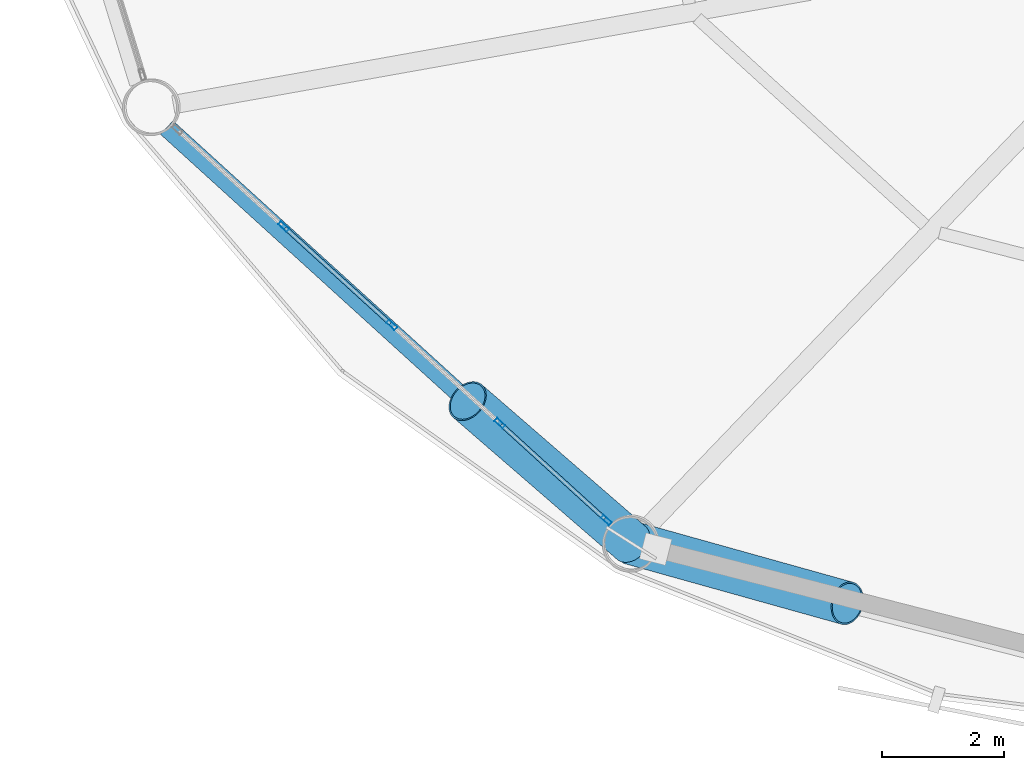
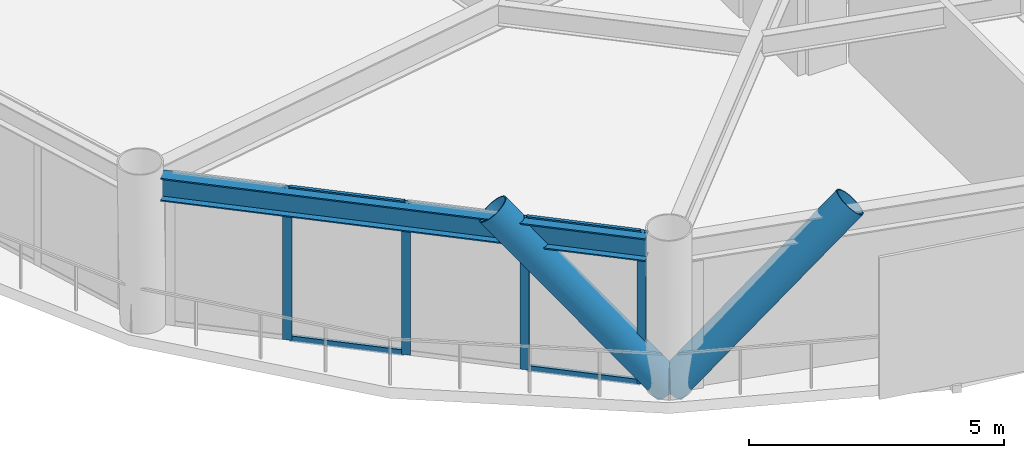
# One storey, part 2 of 25: 10 members, 1 beam, 1 element without a shape of its own.
"""IFC4 building model written with IfcOpenShell, lengths in metres."""

from ifc_helpers import new_model, si_unit, direction, frame, origin, origin_2d, place, context, subcontext, project, spatial, hollow_rectangle, hollow_circle, i_section, extrude, material, layer, layer_set, material_profile, profile_set, type_object, element, aggregate, save


model = new_model("IFC4")

# Units and contexts
model_context = context("Model", 3, precision=1e-05, world=origin(), true_north=direction((0.0, 1.0)))
body_context = subcontext(model_context, "Body", "Model", "MODEL_VIEW")
ifc_project = project(units=[si_unit("LENGTHUNIT", "METRE"), si_unit("AREAUNIT", "SQUARE_METRE"), si_unit("VOLUMEUNIT", "CUBIC_METRE"), si_unit("PLANEANGLEUNIT", "RADIAN"), si_unit("MASSUNIT", "GRAM", prefix="KILO")], contexts=[model_context])

# Site, building, storey
site_placement = place(None, origin())
site = spatial("IfcSite", under=ifc_project, at=site_placement, CompositionType="ELEMENT")
building_placement = place(site_placement, origin())
building = spatial("IfcBuilding", under=site, at=building_placement, Name="Varnakorn Sky Granary", CompositionType="ELEMENT")
storey_placement = place(building_placement, frame((0.0, 0.0, 62.699951171875)))
storey = spatial("IfcBuildingStorey", under=building, at=storey_placement, Name="L15", CompositionType="ELEMENT", Elevation=62.699951171875)

# Beam
ifc_material_1 = material(Name="Steel S355JR", Category="steel")
ifc_material_profile_1 = material_profile(ifc_material_1, i_section(OverallWidth=0.300048828125, OverallDepth=0.550048828125, WebThickness=0.014892578125, FlangeThickness=0.029052734375, at=origin_2d()), Name="HE 550 B")
ifc_profile_set_1 = profile_set([ifc_material_profile_1], Name="Steel S355JR")
beam_type = type_object("IfcBeamType", Name="BM-SPD-Z1", PredefinedType="SPANDREL", material=ifc_profile_set_1)
beam_placement = place(storey_placement, frame((-19.77001953125, -10.060791015625, 3.364990234375), z_axis=(0.739849329856, -0.672772598365, 0.0), x_axis=(0.672772598365, 0.739849329856, 0.0)))
element("IfcBeam", 1, at=beam_placement, inside=storey, type_object=beam_type, Name="Perimeter Spandrel Ring Beam RB08 L15", PredefinedType="SPANDREL", context=body_context, shape_type="SweptSolid", body=[
    extrude(i_section(OverallWidth=0.300048828125, OverallDepth=0.550048828125, WebThickness=0.014892578125, FlangeThickness=0.029052734375, at=origin_2d()), origin(), (0.0, 0.0, 1.0), 9.739990234375),
])

# Curtain wall, members
ifc_material_2 = material(Name="Anodised Bronze Aluminium Alloy 6063-T6", Category="aluminium")
ifc_layer = layer(ifc_material_2, 0.18994140625, Name="Anodised Bronze Aluminium Alloy 6063-T6")
ifc_layer_set = layer_set([ifc_layer], Name="Anodised Bronze Aluminium Alloy 6063-T6")
curtain_wall_type = type_object("IfcCurtainWallType", Name="CW-FRM-1", PredefinedType="USERDEFINED", material=ifc_layer_set)
curtain_wall_placement = place(storey_placement, origin())
curtain_wall = element("IfcCurtainWall", 2, at=curtain_wall_placement, inside=storey, type_object=curtain_wall_type, Name="Unitised Curtain Wall CW3 CW-L15-B08", ObjectType="CURTAIN WALL", PredefinedType="USERDEFINED")
ifc_material_profile_2 = material_profile(ifc_material_2, hollow_rectangle(XDim=0.070068359375, YDim=0.18505859375, WallThickness=0.00390625, at=origin_2d()), Name="ALU MULL 70x185")
ifc_profile_set_2 = profile_set([ifc_material_profile_2], Name="Anodised Bronze Aluminium Alloy 6063-T6")
member_type_1 = type_object("IfcMemberType", Name="CW-FRM-1-MULL", PredefinedType="MULLION", material=ifc_profile_set_2)
member_1_placement = place(storey_placement, frame((-12.59375, -16.470947265625, 0.0), z_axis=(0.0, 0.0, 1.0), x_axis=(-0.673050871898, -0.739596189712, 0.0)))
member_1 = element("IfcMember", 3, at=member_1_placement, type_object=member_type_1, Name="CW3 mullion 1", PredefinedType="MULLION", context=body_context, shape_type="SweptSolid", body=[
    extrude(hollow_rectangle(XDim=0.070068359375, YDim=0.18505859375, WallThickness=0.00390625, at=origin_2d()), origin(), (0.0, 0.0, 1.0), 3.64013671875),
])
member_2_placement = place(storey_placement, frame((-14.332275390625, -14.888916015625, 0.0), z_axis=(0.0, 0.0, 1.0), x_axis=(-0.673050871898, -0.739596189712, 0.0)))
member_2 = element("IfcMember", 4, at=member_2_placement, type_object=member_type_1, Name="CW3 mullion 2", PredefinedType="MULLION", context=body_context, shape_type="SweptSolid", body=[
    extrude(hollow_rectangle(XDim=0.070068359375, YDim=0.18505859375, WallThickness=0.00390625, at=origin_2d()), origin(), (0.0, 0.0, 1.0), 3.64013671875),
])
member_3_placement = place(storey_placement, frame((-16.0966796875, -13.283203125, 0.0), z_axis=(0.0, 0.0, 1.0), x_axis=(-0.673050871898, -0.739596189712, 0.0)))
member_3 = element("IfcMember", 5, at=member_3_placement, type_object=member_type_1, Name="CW3 mullion 3", PredefinedType="MULLION", context=body_context, shape_type="SweptSolid", body=[
    extrude(hollow_rectangle(XDim=0.070068359375, YDim=0.18505859375, WallThickness=0.00390625, at=origin_2d()), origin(), (0.0, 0.0, 1.0), 3.64013671875),
])
member_4_placement = place(storey_placement, frame((-17.861083984375, -11.677734375, 0.0), z_axis=(0.0, 0.0, 1.0), x_axis=(-0.673050871898, -0.739596189712, 0.0)))
member_4 = element("IfcMember", 6, at=member_4_placement, type_object=member_type_1, Name="CW3 mullion 4", PredefinedType="MULLION", context=body_context, shape_type="SweptSolid", body=[
    extrude(hollow_rectangle(XDim=0.070068359375, YDim=0.18505859375, WallThickness=0.00390625, at=origin_2d()), origin(), (0.0, 0.0, 1.0), 3.64013671875),
])
ifc_material_profile_3 = material_profile(ifc_material_2, hollow_rectangle(XDim=0.070068359375, YDim=0.139892578125, WallThickness=0.00341796875, at=origin_2d()), Name="ALU TRAN 70x140")
ifc_profile_set_3 = profile_set([ifc_material_profile_3], Name="Anodised Bronze Aluminium Alloy 6063-T6")
member_type_2 = type_object("IfcMemberType", Name="CW-FRM-1-TRAN", PredefinedType="USERDEFINED", material=ifc_profile_set_3)
member_5_placement = place(storey_placement, frame((-12.61962890625, -16.447265625, 0.03515625), z_axis=(-0.739615443483, 0.673029713877, 0.0), x_axis=(-0.673029713877, -0.739615443483, 0.0)))
member_5 = element("IfcMember", 7, at=member_5_placement, type_object=member_type_2, Name="CW3 transom 1.1", ObjectType="TRANSOM", PredefinedType="USERDEFINED", context=body_context, shape_type="SweptSolid", body=[
    extrude(hollow_rectangle(XDim=0.070068359375, YDim=0.139892578125, WallThickness=0.00341796875, at=origin_2d()), origin(), (0.0, 0.0, 1.0), 2.280517578125),
])
member_6_placement = place(storey_placement, frame((-12.61962890625, -16.447265625, 3.60498046875), z_axis=(-0.739615443483, 0.673029713877, 0.0), x_axis=(-0.673029713877, -0.739615443483, 0.0)))
member_6 = element("IfcMember", 8, at=member_6_placement, type_object=member_type_2, Name="CW3 transom 1.2", ObjectType="TRANSOM", PredefinedType="USERDEFINED", context=body_context, shape_type="SweptSolid", body=[
    extrude(hollow_rectangle(XDim=0.070068359375, YDim=0.139892578125, WallThickness=0.00341796875, at=origin_2d()), origin(), (0.0, 0.0, 1.0), 2.280517578125),
])
member_7_placement = place(storey_placement, frame((-16.12255859375, -13.259765625, 0.03515625), z_axis=(-0.739586950118, 0.673061024882, 0.0), x_axis=(-0.673061024882, -0.739586950118, 0.0)))
member_7 = element("IfcMember", 9, at=member_7_placement, type_object=member_type_2, Name="CW3 transom 3.1", ObjectType="TRANSOM", PredefinedType="USERDEFINED", context=body_context, shape_type="SweptSolid", body=[
    extrude(hollow_rectangle(XDim=0.070068359375, YDim=0.139892578125, WallThickness=0.00341796875, at=origin_2d()), origin(), (0.0, 0.0, 1.0), 2.315673828125),
])
member_8_placement = place(storey_placement, frame((-16.12255859375, -13.259765625, 3.60498046875), z_axis=(-0.739586950118, 0.673061024882, 0.0), x_axis=(-0.673061024882, -0.739586950118, 0.0)))
member_8 = element("IfcMember", 10, at=member_8_placement, type_object=member_type_2, Name="CW3 transom 3.2", ObjectType="TRANSOM", PredefinedType="USERDEFINED", context=body_context, shape_type="SweptSolid", body=[
    extrude(hollow_rectangle(XDim=0.070068359375, YDim=0.139892578125, WallThickness=0.00341796875, at=origin_2d()), origin(), (0.0, 0.0, 1.0), 2.315673828125),
])
aggregate(curtain_wall, [member_1, member_2, member_3, member_4, member_5, member_6, member_7, member_8])

# Members
ifc_material_3 = material(Name="Steel S460M", Category="steel")
ifc_material_profile_4 = material_profile(ifc_material_3, hollow_circle(Radius=0.35546875, WallThickness=0.02490234375, at=origin_2d()), Name="CHS 711x25")
ifc_profile_set_4 = profile_set([ifc_material_profile_4], Name="Steel S460M")
member_type_3 = type_object("IfcMemberType", Name="MB-DIAG-T0", PredefinedType="BRACE", material=ifc_profile_set_4)
member_9_placement = place(storey_placement, frame((-12.185546875, -16.842529296875, 0.0), z_axis=(-0.515482522436, 0.446559936956, 0.731342595347), x_axis=(-0.654770106365, -0.755828094087, 0.0)))
element("IfcMember", 11, at=member_9_placement, inside=storey, type_object=member_type_3, Name="Perimeter CHS Diagrid Brace DG08 L15", PredefinedType="BRACE", context=body_context, shape_type="SweptSolid", body=[
    extrude(hollow_circle(Radius=0.35546875, WallThickness=0.02490234375, at=origin_2d()), origin(), (0.0, 0.0, 1.0), 5.182373046875),
])
member_10_placement = place(storey_placement, frame((-12.185546875, -16.842529296875, 0.0), z_axis=(0.669295728084, -0.186952561322, 0.719091070855), x_axis=(0.269029066803, 0.963132058035, 0.0)))
element("IfcMember", 12, at=member_10_placement, inside=storey, type_object=member_type_3, Name="Perimeter CHS Diagrid Brace DG09 L15", PredefinedType="BRACE", context=body_context, shape_type="SweptSolid", body=[
    extrude(hollow_circle(Radius=0.35546875, WallThickness=0.02490234375, at=origin_2d()), origin(), (0.0, 0.0, 1.0), 5.2705078125),
])

save(model, "model.ifc")
